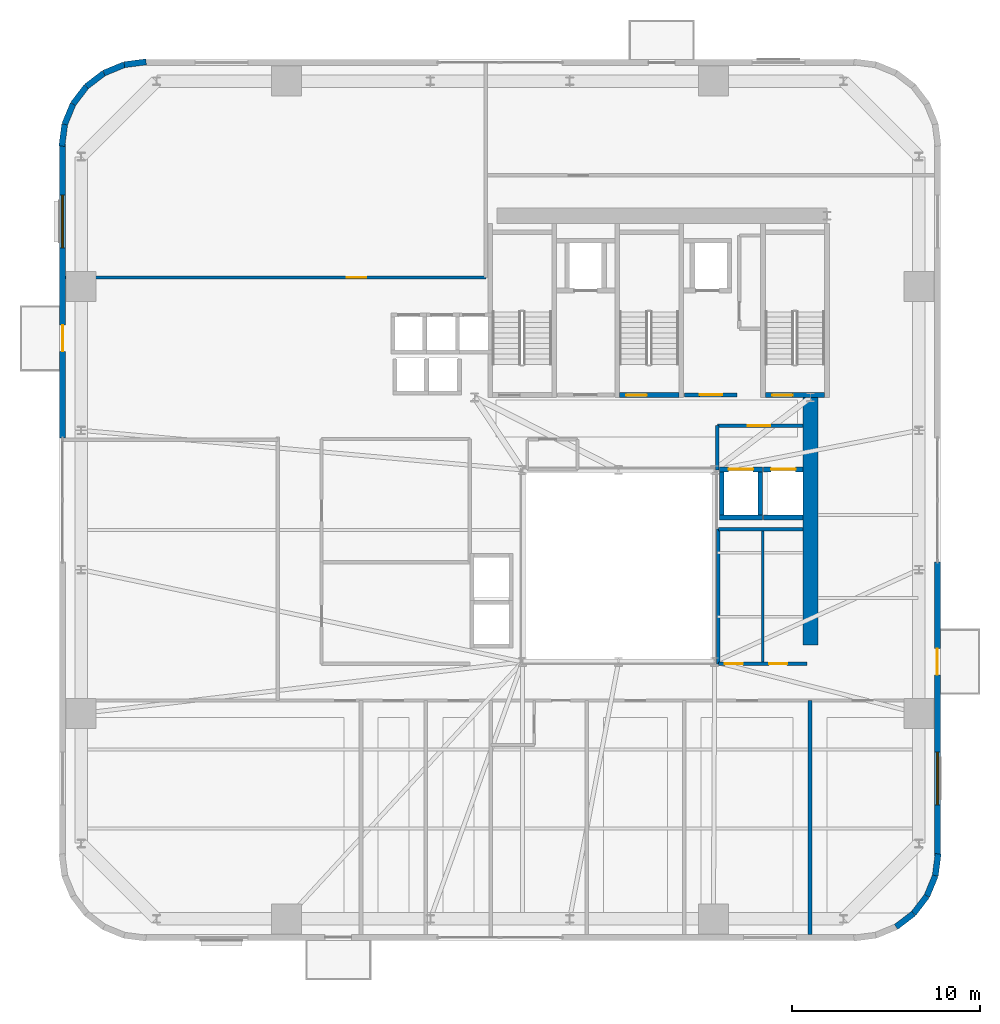
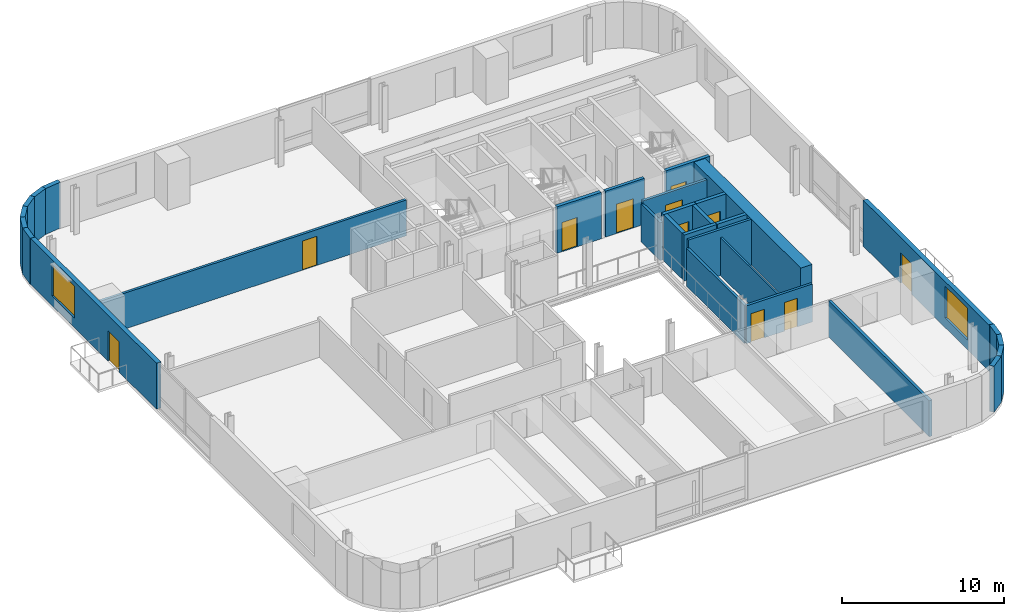
# One storey, part 7 of 14: 30 walls, 11 doors, 2 windows, 13 openings.
"""IFC4 building model written with IfcOpenShell, lengths in metres."""

from ifc_helpers import new_model, si_unit, direction, frame, frame_2d, origin, place, context, subcontext, project, spatial, rectangle, extrude, source, transform, mapped, material, layer, layer_set, type_object, element, fill, save


model = new_model("IFC4")

# Units and contexts
model_context = context("Model", 3, precision=1e-05, world=origin(), true_north=direction((0.0, 1.0)))
body_context = subcontext(model_context, "Body", "Model", "MODEL_VIEW")
ifc_project = project(units=[si_unit("LENGTHUNIT", "METRE"), si_unit("AREAUNIT", "SQUARE_METRE"), si_unit("VOLUMEUNIT", "CUBIC_METRE"), si_unit("PLANEANGLEUNIT", "RADIAN"), si_unit("MASSUNIT", "GRAM", prefix="KILO")], contexts=[model_context])

# Site, building, storey
site_placement = place(None, origin())
site = spatial("IfcSite", under=ifc_project, at=site_placement, CompositionType="ELEMENT")
building_placement = place(site_placement, origin())
building = spatial("IfcBuilding", under=site, at=building_placement, Name="Vardaveli Station Tower", CompositionType="ELEMENT")
storey_placement = place(building_placement, frame((0.0, 0.0, 111.300048828125)))
storey = spatial("IfcBuildingStorey", under=building, at=storey_placement, Name="L28", CompositionType="ELEMENT", Elevation=111.300048828125)

# Wall
ifc_material_1 = material(Name="Concrete C50/60", Category="concrete")
ifc_layer_1 = layer(ifc_material_1, 0.800048828125, Name="Concrete C50/60")
ifc_layer_set_1 = layer_set([ifc_layer_1], Name="Concrete C50/60")
wall_type_1 = type_object("IfcWallType", Name="WAL-CORE-800", PredefinedType="SHEAR", material=ifc_layer_set_1)
shared_shape_1 = source(origin(), body_context, "Body", "SweptSolid", [
    extrude(rectangle(XDim=13.14990234375, YDim=0.800048828125, at=frame_2d((6.574951171875, 0.0))), origin(), (0.0, 0.0, 1.0), 3.4599609375),
])
wall_1_placement = place(storey_placement, frame((46.5, 17.5, 0.0), z_axis=(0.0, 0.0, 1.0), x_axis=(0.0, 1.0, 0.0)))
element("IfcWall", 1, at=wall_1_placement, inside=storey, type_object=wall_type_1, Name="SW-L28-EAST2", PredefinedType="SHEAR", context=body_context, shape_type="MappedRepresentation", body=[
    mapped(shared_shape_1, transform((0.0, 0.0, 0.0), scale=1.0)),
])

# Wall, openings, door, window
ifc_material_2 = material(Name="Precast concrete C45/55", Category="concrete")
ifc_layer_2 = layer(ifc_material_2, 0.320068359375, Name="Precast concrete C45/55")
ifc_layer_set_2 = layer_set([ifc_layer_2], Name="Precast concrete C45/55")
wall_type_2 = type_object("IfcWallType", Name="WAL-EXT-STONE-320", PredefinedType="SOLIDWALL", material=ifc_layer_set_2)
shared_shape_2 = source(origin(), body_context, "Body", "SweptSolid", [
    extrude(rectangle(XDim=15.599853515625, YDim=0.320068359375, at=frame_2d((7.7998046875, 0.0))), origin(), (0.0, 0.0, 1.0), 3.4599609375),
])
wall_2_placement = place(storey_placement, frame((53.239990234375, 6.300048828125, 0.0), z_axis=(0.0, 0.0, 1.0), x_axis=(0.0, 1.0, 0.0)))
wall_2 = element("IfcWall", 2, at=wall_2_placement, inside=storey, type_object=wall_type_2, Name="EW-L28-E1", PredefinedType="SOLIDWALL", context=body_context, shape_type="MappedRepresentation", body=[
    mapped(shared_shape_2, transform((0.0, 0.0, 0.0), scale=1.0)),
])
shared_shape_3 = source(origin(), body_context, "Body", "SweptSolid", [
    extrude(rectangle(XDim=1.39990234375, YDim=2.300048828125, at=frame_2d((0.699951171875, 1.14990234375))), frame((0.0, 0.169921875, 0.0), z_axis=(0.0, -1.0, 0.0), x_axis=(1.0, 0.0, 0.0)), (0.0, 0.0, 1.0), 0.340087890625),
])
opening_1_placement = place(wall_2_placement, frame((9.6103515625, 0.0, 0.0)))
opening_1 = element("IfcOpeningElement", 3, at=opening_1_placement, cuts=wall_2, Name="Opening D-09", PredefinedType="OPENING", context=body_context, shape_type="MappedRepresentation", body=[
    mapped(shared_shape_3, transform((0.0, 0.0, 0.0), scale=1.0)),
])
shared_shape_4 = source(origin(), body_context, "Body", "SweptSolid", [
    extrude(rectangle(XDim=2.800048828125, YDim=2.39990234375, at=frame_2d((1.39990234375, 1.199951171875))), frame((0.0, 0.169921875, 0.0), z_axis=(0.0, -1.0, 0.0), x_axis=(1.0, 0.0, 0.0)), (0.0, 0.0, 1.0), 0.340087890625),
])
opening_2_placement = place(wall_2_placement, frame((2.705078125, 0.0, 0.719970703125)))
opening_2 = element("IfcOpeningElement", 4, at=opening_2_placement, cuts=wall_2, Name="Opening W-04", PredefinedType="OPENING", context=body_context, shape_type="MappedRepresentation", body=[
    mapped(shared_shape_4, transform((0.0, 0.0, 0.0), scale=1.0)),
])
ifc_material_3 = material(Name="Thermally broken aluminium glass", Category="aluminium")
door_type_1 = type_object("IfcDoorType", Name="DR-LOG-1400x2300", OperationType="DOUBLE_DOOR_SLIDING", PredefinedType="DOOR", material=ifc_material_3)
shared_shape_5 = source(origin(), body_context, "Body", "SweptSolid", [
    extrude(rectangle(XDim=1.39990234375, YDim=2.300048828125, at=frame_2d((0.699951171875, 1.14990234375))), frame((0.0, 0.02490234375, 0.0), z_axis=(0.0, -1.0, 0.0), x_axis=(1.0, 0.0, 0.0)), (0.0, 0.0, 1.0), 0.050048828125),
])
door_1_placement = place(opening_1_placement, frame((1.39990234375, 0.0, 0.0), z_axis=(0.0, 0.0, 1.0), x_axis=(-1.0, 0.0, 0.0)))
door_1 = element("IfcDoor", 5, at=door_1_placement, inside=storey, type_object=door_type_1, Name="DLG-L28-E", OperationType="DOUBLE_DOOR_SLIDING", OverallHeight=2.300048828125, OverallWidth=1.39990234375, PredefinedType="DOOR", context=body_context, shape_type="MappedRepresentation", body=[
    mapped(shared_shape_5, transform((0.0, 0.0, 0.0), scale=1.0)),
])
fill(opening_1, door_1)
ifc_material_4 = material(Name="Low-E solar-control glass", Category="glass")
window_type = type_object("IfcWindowType", Name="WIN-SUITE-2800x2400", PartitioningType="SINGLE_PANEL", PredefinedType="WINDOW", material=ifc_material_4)
shared_shape_6 = source(origin(), body_context, "Body", "SweptSolid", [
    extrude(rectangle(XDim=2.800048828125, YDim=2.39990234375, at=frame_2d((1.39990234375, 1.199951171875))), frame((0.0, 0.030029296875, 0.0), z_axis=(0.0, -1.0, 0.0), x_axis=(1.0, 0.0, 0.0)), (0.0, 0.0, 1.0), 0.06005859375),
])
window_1_placement = place(opening_2_placement, origin())
window_1 = element("IfcWindow", 6, at=window_1_placement, inside=storey, type_object=window_type, Name="WN-L28-E1", OverallHeight=2.39990234375, OverallWidth=2.800048828125, PartitioningType="SINGLE_PANEL", PredefinedType="WINDOW", context=body_context, shape_type="MappedRepresentation", body=[
    mapped(shared_shape_6, transform((0.0, 0.0, 0.0), scale=1.0)),
])
fill(opening_2, window_1)

shared_shape_7 = source(origin(), body_context, "Body", "SweptSolid", [
    extrude(rectangle(XDim=15.60009765625, YDim=0.320068359375, at=frame_2d((7.800048828125, 0.0))), origin(), (0.0, 0.0, 1.0), 3.4599609375),
])
wall_3_placement = place(storey_placement, frame((6.760009765625, 44.10009765625, 0.0), z_axis=(0.0, 0.0, 1.0), x_axis=(0.0, -1.0, 0.0)))
wall_3 = element("IfcWall", 7, at=wall_3_placement, inside=storey, type_object=wall_type_2, Name="EW-L28-W1", PredefinedType="SOLIDWALL", context=body_context, shape_type="MappedRepresentation", body=[
    mapped(shared_shape_7, transform((0.0, 0.0, 0.0), scale=1.0)),
])
opening_3_placement = place(wall_3_placement, frame((9.6103515625, 0.0, 0.0)))
opening_3 = element("IfcOpeningElement", 8, at=opening_3_placement, cuts=wall_3, Name="Opening D-09", PredefinedType="OPENING", context=body_context, shape_type="MappedRepresentation", body=[
    mapped(shared_shape_3, transform((0.0, 0.0, 0.0), scale=1.0)),
])
opening_4_placement = place(wall_3_placement, frame((2.705078125, 0.0, 0.719970703125)))
opening_4 = element("IfcOpeningElement", 9, at=opening_4_placement, cuts=wall_3, Name="Opening W-04", PredefinedType="OPENING", context=body_context, shape_type="MappedRepresentation", body=[
    mapped(shared_shape_4, transform((0.0, 0.0, 0.0), scale=1.0)),
])
door_2_placement = place(opening_3_placement, frame((1.39990234375, 0.0, 0.0), z_axis=(0.0, 0.0, 1.0), x_axis=(-1.0, 0.0, 0.0)))
door_2 = element("IfcDoor", 10, at=door_2_placement, inside=storey, type_object=door_type_1, Name="DLG-L28-W", OperationType="DOUBLE_DOOR_SLIDING", OverallHeight=2.300048828125, OverallWidth=1.39990234375, PredefinedType="DOOR", context=body_context, shape_type="MappedRepresentation", body=[
    mapped(shared_shape_5, transform((0.0, 0.0, 0.0), scale=1.0)),
])
fill(opening_3, door_2)
window_2_placement = place(opening_4_placement, origin())
window_2 = element("IfcWindow", 11, at=window_2_placement, inside=storey, type_object=window_type, Name="WN-L28-W1", OverallHeight=2.39990234375, OverallWidth=2.800048828125, PartitioningType="SINGLE_PANEL", PredefinedType="WINDOW", context=body_context, shape_type="MappedRepresentation", body=[
    mapped(shared_shape_6, transform((0.0, 0.0, 0.0), scale=1.0)),
])
fill(opening_4, window_2)

# Walls
shared_shape_8 = source(origin(), body_context, "Body", "SweptSolid", [
    extrude(rectangle(XDim=1.170654296875, YDim=0.320068359375, at=frame_2d((0.58544921875, 0.0))), origin(), (0.0, 0.0, 1.0), 3.4599609375),
])
wall_4_placement = place(storey_placement, frame((53.12548828125, 5.23974609375, 0.0), z_axis=(0.0, 0.0, 1.0), x_axis=(0.128269133229, 0.991739395941, 0.0)))
element("IfcWall", 12, at=wall_4_placement, inside=storey, type_object=wall_type_2, Name="EW-L28-CR2-6", PredefinedType="SOLIDWALL", context=body_context, shape_type="MappedRepresentation", body=[
    mapped(shared_shape_8, transform((0.0, 0.0, 0.0), scale=1.0)),
])
shared_shape_9 = source(origin(), body_context, "Body", "SweptSolid", [
    extrude(rectangle(XDim=1.1689453125, YDim=0.320068359375, at=frame_2d((0.58447265625, 0.0))), origin(), (0.0, 0.0, 1.0), 3.4599609375),
])
for number, where, z_axis, x_axis, name in (
    (13, (51.96875, 3.231201171875, 0.0), (0.0, 0.0, 1.0), (0.608387696831, 0.793639975269, 0.0), "EW-L28-CR2-4"),
    (14, (52.679931640625, 4.158935546875, 0.0), (0.0, 0.0, 1.0), (0.381127904695, 0.924522320046, 0.0), "EW-L28-CR2-5"),
    (15, (8.03125, 47.1689453125, 0.0), (0.0, 0.0, 1.0), (-0.608387696831, -0.793639975269, 0.0), "EW-L28-CR4-4"),
):
    element("IfcWall", number, at=place(storey_placement, frame(where, z_axis=z_axis, x_axis=x_axis)), inside=storey, type_object=wall_type_2, Name=name, PredefinedType="SOLIDWALL", context=body_context, shape_type="MappedRepresentation", body=[
        mapped(shared_shape_9, transform((0.0, 0.0, 0.0), scale=1.0)),
    ])
shared_shape_10 = source(origin(), body_context, "Body", "SweptSolid", [
    extrude(rectangle(XDim=1.168701171875, YDim=0.320068359375, at=frame_2d((0.58447265625, 0.0))), origin(), (0.0, 0.0, 1.0), 3.4599609375),
])
for number, where, z_axis, x_axis, name in (
    (16, (51.041259765625, 2.520263671875, 0.0), (0.0, 0.0, 1.0), (0.793663520347, 0.608356981114, 0.0), "EW-L28-CR2-3"),
    (17, (8.958740234375, 47.8798828125, 0.0), (0.0, 0.0, 1.0), (-0.793663520347, -0.608356981114, 0.0), "EW-L28-CR4-3"),
):
    element("IfcWall", number, at=place(storey_placement, frame(where, z_axis=z_axis, x_axis=x_axis)), inside=storey, type_object=wall_type_2, Name=name, PredefinedType="SOLIDWALL", context=body_context, shape_type="MappedRepresentation", body=[
        mapped(shared_shape_10, transform((0.0, 0.0, 0.0), scale=1.0)),
    ])
shared_shape_11 = source(origin(), body_context, "Body", "SweptSolid", [
    extrude(rectangle(XDim=1.17041015625, YDim=0.320068359375, at=frame_2d((0.585205078125, 0.0))), origin(), (0.0, 0.0, 1.0), 3.4599609375),
])
for number, where, z_axis, x_axis, name in (
    (18, (11.200439453125, 48.4755859375, 0.0), (0.0, 0.0, 1.0), (-0.991735963317, -0.128295670475, 0.0), "EW-L28-CR4-1"),
    (19, (6.87451171875, 45.16015625, 0.0), (0.0, 0.0, 1.0), (-0.128295670475, -0.991735963317, 0.0), "EW-L28-CR4-6"),
):
    element("IfcWall", number, at=place(storey_placement, frame(where, z_axis=z_axis, x_axis=x_axis)), inside=storey, type_object=wall_type_2, Name=name, PredefinedType="SOLIDWALL", context=body_context, shape_type="MappedRepresentation", body=[
        mapped(shared_shape_11, transform((0.0, 0.0, 0.0), scale=1.0)),
    ])
shared_shape_12 = source(origin(), body_context, "Body", "SweptSolid", [
    extrude(rectangle(XDim=1.169189453125, YDim=0.320068359375, at=frame_2d((0.58447265625, 0.0))), origin(), (0.0, 0.0, 1.0), 3.4599609375),
])
for number, where, z_axis, x_axis, name in (
    (20, (10.039794921875, 48.325439453125, 0.0), (0.0, 0.0, 1.0), (-0.924552646638, -0.381054331552, 0.0), "EW-L28-CR4-2"),
    (21, (7.320068359375, 46.2412109375, 0.0), (0.0, 0.0, 1.0), (-0.381054331552, -0.924552646638, 0.0), "EW-L28-CR4-5"),
):
    element("IfcWall", number, at=place(storey_placement, frame(where, z_axis=z_axis, x_axis=x_axis)), inside=storey, type_object=wall_type_2, Name=name, PredefinedType="SOLIDWALL", context=body_context, shape_type="MappedRepresentation", body=[
        mapped(shared_shape_12, transform((0.0, 0.0, 0.0), scale=1.0)),
    ])

# Wall, opening, door
ifc_material_5 = material(Name="Concrete C40/50", Category="concrete")
ifc_layer_3 = layer(ifc_material_5, 0.25, Name="Concrete C40/50")
ifc_layer_set_3 = layer_set([ifc_layer_3], Name="Concrete C40/50")
wall_type_3 = type_object("IfcWallType", Name="WAL-SHAFT-250", PredefinedType="SOLIDWALL", material=ifc_layer_set_3)
shared_shape_13 = source(origin(), body_context, "Body", "SweptSolid", [
    extrude(rectangle(XDim=3.14990234375, YDim=0.25, at=frame_2d((1.574951171875, 0.0))), origin(), (0.0, 0.0, 1.0), 3.5),
])
wall_5_placement = place(storey_placement, frame((36.35009765625, 30.77490234375, 0.0), z_axis=(0.0, 0.0, 1.0), x_axis=(1.0, 0.0, 0.0)))
wall_5 = element("IfcWall", 22, at=wall_5_placement, inside=storey, type_object=wall_type_3, Name="W-L28-ST-2S", PredefinedType="SOLIDWALL", context=body_context, shape_type="MappedRepresentation", body=[
    mapped(shared_shape_13, transform((0.0, 0.0, 0.0), scale=1.0)),
])
shared_shape_14 = source(origin(), body_context, "Body", "SweptSolid", [
    extrude(rectangle(XDim=1.10009765625, YDim=2.199951171875, at=frame_2d((0.550048828125, 1.10009765625))), frame((0.0, 0.135009765625, 0.0), z_axis=(0.0, -1.0, 0.0), x_axis=(1.0, 0.0, 0.0)), (0.0, 0.0, 1.0), 0.27001953125),
])
opening_5_placement = place(wall_5_placement, frame((0.35009765625, 0.0, 0.0)))
opening_5 = element("IfcOpeningElement", 23, at=opening_5_placement, cuts=wall_5, Name="Opening D-04", PredefinedType="OPENING", context=body_context, shape_type="MappedRepresentation", body=[
    mapped(shared_shape_14, transform((0.0, 0.0, 0.0), scale=1.0)),
])
ifc_material_6 = material(Name="Steel smokeproof fire doorset", Category="steel")
door_type_2 = type_object("IfcDoorType", Name="DR-ST-1100x2200", OperationType="NOTDEFINED", PredefinedType="DOOR", material=ifc_material_6)
shared_shape_15 = source(origin(), body_context, "Body", "SweptSolid", [
    extrude(rectangle(XDim=1.10009765625, YDim=2.199951171875, at=frame_2d((0.550048828125, 1.10009765625))), frame((0.0, 0.02490234375, 0.0), z_axis=(0.0, -1.0, 0.0), x_axis=(1.0, 0.0, 0.0)), (0.0, 0.0, 1.0), 0.050048828125),
])
door_3_placement = place(opening_5_placement, origin())
door_3 = element("IfcDoor", 24, at=door_3_placement, inside=storey, type_object=door_type_2, Name="DST-2-L28", OperationType="SINGLE_SWING_LEFT", OverallHeight=2.199951171875, OverallWidth=1.10009765625, PredefinedType="DOOR", context=body_context, shape_type="MappedRepresentation", body=[
    mapped(shared_shape_15, transform((0.0, 0.0, 0.0), scale=1.0)),
])
fill(opening_5, door_3)

wall_6_placement = place(storey_placement, frame((44.10009765625, 30.77490234375, 0.0), z_axis=(0.0, 0.0, 1.0), x_axis=(1.0, 0.0, 0.0)))
wall_6 = element("IfcWall", 25, at=wall_6_placement, inside=storey, type_object=wall_type_3, Name="W-L28-ST-3S", PredefinedType="SOLIDWALL", context=body_context, shape_type="MappedRepresentation", body=[
    mapped(shared_shape_13, transform((0.0, 0.0, 0.0), scale=1.0)),
])
opening_6_placement = place(wall_6_placement, frame((0.35009765625, 0.0, 0.0)))
opening_6 = element("IfcOpeningElement", 26, at=opening_6_placement, cuts=wall_6, Name="Opening D-04", PredefinedType="OPENING", context=body_context, shape_type="MappedRepresentation", body=[
    mapped(shared_shape_14, transform((0.0, 0.0, 0.0), scale=1.0)),
])
door_4_placement = place(opening_6_placement, origin())
door_4 = element("IfcDoor", 27, at=door_4_placement, inside=storey, type_object=door_type_2, Name="DST-3-L28", OperationType="SINGLE_SWING_LEFT", OverallHeight=2.199951171875, OverallWidth=1.10009765625, PredefinedType="DOOR", context=body_context, shape_type="MappedRepresentation", body=[
    mapped(shared_shape_15, transform((0.0, 0.0, 0.0), scale=1.0)),
])
fill(opening_6, door_4)

ifc_layer_4 = layer(ifc_material_5, 0.219970703125, Name="Concrete C40/50")
ifc_layer_set_4 = layer_set([ifc_layer_4], Name="Concrete C40/50")
wall_type_4 = type_object("IfcWallType", Name="WAL-FFLOBBY-220", PredefinedType="SOLIDWALL", material=ifc_layer_set_4)
shared_shape_16 = source(origin(), body_context, "Body", "SweptSolid", [
    extrude(rectangle(XDim=2.800048828125, YDim=0.219970703125, at=frame_2d((1.39990234375, 0.0))), origin(), (0.0, 0.0, 1.0), 3.4599609375),
])
wall_7_placement = place(storey_placement, frame((39.800048828125, 30.780029296875, 0.0), z_axis=(0.0, 0.0, 1.0), x_axis=(1.0, 0.0, 0.0)))
wall_7 = element("IfcWall", 28, at=wall_7_placement, inside=storey, type_object=wall_type_4, Name="W-L28-FFL2S", PredefinedType="SOLIDWALL", context=body_context, shape_type="MappedRepresentation", body=[
    mapped(shared_shape_16, transform((0.0, 0.0, 0.0), scale=1.0)),
])
shared_shape_17 = source(origin(), body_context, "Body", "SweptSolid", [
    extrude(rectangle(XDim=1.199951171875, YDim=2.199951171875, at=frame_2d((0.60009765625, 1.10009765625))), frame((0.0, 0.1201171875, 0.0), z_axis=(0.0, -1.0, 0.0), x_axis=(1.0, 0.0, 0.0)), (0.0, 0.0, 1.0), 0.239990234375),
])
opening_7_placement = place(wall_7_placement, frame((0.800048828125, 0.0, 0.0)))
opening_7 = element("IfcOpeningElement", 29, at=opening_7_placement, cuts=wall_7, Name="Opening D-03", PredefinedType="OPENING", context=body_context, shape_type="MappedRepresentation", body=[
    mapped(shared_shape_17, transform((0.0, 0.0, 0.0), scale=1.0)),
])
door_type_3 = type_object("IfcDoorType", Name="DR-FFL-1200x2200", OperationType="NOTDEFINED", PredefinedType="DOOR", material=ifc_material_6)
shared_shape_18 = source(origin(), body_context, "Body", "SweptSolid", [
    extrude(rectangle(XDim=1.199951171875, YDim=2.199951171875, at=frame_2d((0.60009765625, 1.10009765625))), frame((0.0, 0.02490234375, 0.0), z_axis=(0.0, -1.0, 0.0), x_axis=(1.0, 0.0, 0.0)), (0.0, 0.0, 1.0), 0.050048828125),
])
door_5_placement = place(opening_7_placement, origin())
door_5 = element("IfcDoor", 30, at=door_5_placement, inside=storey, type_object=door_type_3, Name="DFFL2-L28", OperationType="SINGLE_SWING_RIGHT", OverallHeight=2.199951171875, OverallWidth=1.199951171875, PredefinedType="DOOR", context=body_context, shape_type="MappedRepresentation", body=[
    mapped(shared_shape_18, transform((0.0, 0.0, 0.0), scale=1.0)),
])
fill(opening_7, door_5)

# Wall
shared_shape_19 = source(origin(), body_context, "Body", "SweptSolid", [
    extrude(rectangle(XDim=2.300048828125, YDim=0.25, at=frame_2d((1.14990234375, 0.0))), origin(), (0.0, 0.0, 1.0), 3.4599609375),
])
wall_8_placement = place(storey_placement, frame((41.64990234375, 24.27490234375, 0.0), z_axis=(0.0, 0.0, 1.0), x_axis=(1.0, 0.0, 0.0)))
element("IfcWall", 31, at=wall_8_placement, inside=storey, type_object=wall_type_3, Name="SHW-SRV-01-L28-S", PredefinedType="SOLIDWALL", context=body_context, shape_type="MappedRepresentation", body=[
    mapped(shared_shape_19, transform((0.0, 0.0, 0.0), scale=1.0)),
])

# Wall, opening, door
wall_9_placement = place(storey_placement, frame((41.64990234375, 26.824951171875, 0.0), z_axis=(0.0, 0.0, 1.0), x_axis=(1.0, 0.0, 0.0)))
wall_9 = element("IfcWall", 32, at=wall_9_placement, inside=storey, type_object=wall_type_3, Name="SHW-SRV-01-L28-N", PredefinedType="SOLIDWALL", context=body_context, shape_type="MappedRepresentation", body=[
    mapped(shared_shape_19, transform((0.0, 0.0, 0.0), scale=1.0)),
])
shared_shape_20 = source(origin(), body_context, "Body", "SweptSolid", [
    extrude(rectangle(XDim=1.300048828125, YDim=2.300048828125, at=frame_2d((0.64990234375, 1.14990234375))), frame((0.0, 0.135009765625, 0.0), z_axis=(0.0, -1.0, 0.0), x_axis=(1.0, 0.0, 0.0)), (0.0, 0.0, 1.0), 0.27001953125),
])
opening_8_placement = place(wall_9_placement, frame((0.5, 0.0, 0.0)))
opening_8 = element("IfcOpeningElement", 33, at=opening_8_placement, cuts=wall_9, Name="Opening LD-03", PredefinedType="OPENING", context=body_context, shape_type="MappedRepresentation", body=[
    mapped(shared_shape_20, transform((0.0, 0.0, 0.0), scale=1.0)),
])
ifc_material_7 = material(Name="Brushed stainless steel", Category="steel")
door_type_4 = type_object("IfcDoorType", Name="DR-LD-1300x2300", OperationType="DOUBLE_DOOR_SLIDING", PredefinedType="DOOR", material=ifc_material_7)
shared_shape_21 = source(origin(), body_context, "Body", "SweptSolid", [
    extrude(rectangle(XDim=1.300048828125, YDim=2.300048828125, at=frame_2d((0.64990234375, 1.14990234375))), frame((0.0, 0.02490234375, 0.0), z_axis=(0.0, -1.0, 0.0), x_axis=(1.0, 0.0, 0.0)), (0.0, 0.0, 1.0), 0.050048828125),
])
door_6_placement = place(opening_8_placement, origin())
door_6 = element("IfcDoor", 34, at=door_6_placement, inside=storey, type_object=door_type_4, Name="LD-SRV-01-L28", OperationType="DOUBLE_DOOR_SLIDING", OverallHeight=2.300048828125, OverallWidth=1.300048828125, PredefinedType="DOOR", context=body_context, shape_type="MappedRepresentation", body=[
    mapped(shared_shape_21, transform((0.0, 0.0, 0.0), scale=1.0)),
])
fill(opening_8, door_6)

# Walls
for number, where, z_axis, x_axis, name in (
    (35, (41.77490234375, 24.39990234375, 0.0), (0.0, 0.0, 1.0), (0.0, 1.0, 0.0), "SHW-SRV-01-L28-W"),
    (36, (43.824951171875, 24.39990234375, 0.0), (0.0, 0.0, 1.0), (0.0, 1.0, 0.0), "SHW-SRV-01-L28-E"),
):
    element("IfcWall", number, at=place(storey_placement, frame(where, z_axis=z_axis, x_axis=x_axis)), inside=storey, type_object=wall_type_3, Name=name, PredefinedType="SOLIDWALL", context=body_context, shape_type="MappedRepresentation", body=[
        mapped(shared_shape_19, transform((0.0, 0.0, 0.0), scale=1.0)),
    ])
shared_shape_22 = source(origin(), body_context, "Body", "SweptSolid", [
    extrude(rectangle(XDim=2.10009765625, YDim=0.25, at=frame_2d((1.050048828125, 0.0))), origin(), (0.0, 0.0, 1.0), 3.4599609375),
])
wall_10_placement = place(storey_placement, frame((44.0, 24.27490234375, 0.0), z_axis=(0.0, 0.0, 1.0), x_axis=(1.0, 0.0, 0.0)))
element("IfcWall", 37, at=wall_10_placement, inside=storey, type_object=wall_type_3, Name="SHW-SRV-02-L28-S", PredefinedType="SOLIDWALL", context=body_context, shape_type="MappedRepresentation", body=[
    mapped(shared_shape_22, transform((0.0, 0.0, 0.0), scale=1.0)),
])

# Wall, opening, door
wall_11_placement = place(storey_placement, frame((44.0, 26.824951171875, 0.0), z_axis=(0.0, 0.0, 1.0), x_axis=(1.0, 0.0, 0.0)))
wall_11 = element("IfcWall", 38, at=wall_11_placement, inside=storey, type_object=wall_type_3, Name="SHW-SRV-02-L28-N", PredefinedType="SOLIDWALL", context=body_context, shape_type="MappedRepresentation", body=[
    mapped(shared_shape_22, transform((0.0, 0.0, 0.0), scale=1.0)),
])
opening_9_placement = place(wall_11_placement, frame((0.39990234375, 0.0, 0.0)))
opening_9 = element("IfcOpeningElement", 39, at=opening_9_placement, cuts=wall_11, Name="Opening LD-03", PredefinedType="OPENING", context=body_context, shape_type="MappedRepresentation", body=[
    mapped(shared_shape_20, transform((0.0, 0.0, 0.0), scale=1.0)),
])
door_7_placement = place(opening_9_placement, origin())
door_7 = element("IfcDoor", 40, at=door_7_placement, inside=storey, type_object=door_type_4, Name="LD-SRV-02-L28", OperationType="DOUBLE_DOOR_SLIDING", OverallHeight=2.300048828125, OverallWidth=1.300048828125, PredefinedType="DOOR", context=body_context, shape_type="MappedRepresentation", body=[
    mapped(shared_shape_21, transform((0.0, 0.0, 0.0), scale=1.0)),
])
fill(opening_9, door_7)

ifc_material_8 = material(Name="Fire-rated gypsum stud partition")
ifc_layer_5 = layer(ifc_material_8, 0.179931640625, Name="Fire-rated gypsum stud partition")
ifc_layer_set_5 = layer_set([ifc_layer_5], Name="Fire-rated gypsum stud partition")
wall_type_5 = type_object("IfcWallType", Name="WAL-CORR-180", PredefinedType="PARTITIONING", material=ifc_layer_set_5)
shared_shape_23 = source(origin(), body_context, "Body", "SweptSolid", [
    extrude(rectangle(XDim=22.327880859375, YDim=0.179931640625, at=frame_2d((11.1640625, 0.0))), origin(), (0.0, 0.0, 1.0), 2.701904296875),
])
wall_12_placement = place(storey_placement, frame((6.922119140625, 37.02001953125, 0.0), z_axis=(0.0, 0.0, 1.0), x_axis=(1.0, 0.0, 0.0)))
wall_12 = element("IfcWall", 41, at=wall_12_placement, inside=storey, type_object=wall_type_5, Name="W-L28-CNWS", PredefinedType="PARTITIONING", context=body_context, shape_type="MappedRepresentation", body=[
    mapped(shared_shape_23, transform((0.0, 0.0, 0.0), scale=1.0)),
])
shared_shape_24 = source(origin(), body_context, "Body", "SweptSolid", [
    extrude(rectangle(XDim=1.050048828125, YDim=2.199951171875, at=frame_2d((0.52490234375, 1.10009765625))), frame((0.0, 0.10009765625, 0.0), z_axis=(0.0, -1.0, 0.0), x_axis=(1.0, 0.0, 0.0)), (0.0, 0.0, 1.0), 0.199951171875),
])
opening_10_placement = place(wall_12_placement, frame((14.927978515625, 0.0, 0.0)))
opening_10 = element("IfcOpeningElement", 42, at=opening_10_placement, cuts=wall_12, Name="Opening D-05", PredefinedType="OPENING", context=body_context, shape_type="MappedRepresentation", body=[
    mapped(shared_shape_24, transform((0.0, 0.0, 0.0), scale=1.0)),
])
ifc_material_9 = material(Name="Walnut veneer acoustic fire door")
door_type_5 = type_object("IfcDoorType", Name="DR-SUITE-1050x2200", OperationType="NOTDEFINED", PredefinedType="DOOR", material=ifc_material_9)
shared_shape_25 = source(origin(), body_context, "Body", "SweptSolid", [
    extrude(rectangle(XDim=1.050048828125, YDim=2.199951171875, at=frame_2d((0.52490234375, 1.10009765625))), frame((0.0, 0.02490234375, 0.0), z_axis=(0.0, -1.0, 0.0), x_axis=(1.0, 0.0, 0.0)), (0.0, 0.0, 1.0), 0.050048828125),
])
door_8_placement = place(opening_10_placement, origin())
door_8 = element("IfcDoor", 43, at=door_8_placement, inside=storey, type_object=door_type_5, Name="D-L28-GNW1", OperationType="SINGLE_SWING_LEFT", OverallHeight=2.199951171875, OverallWidth=1.050048828125, PredefinedType="DOOR", context=body_context, shape_type="MappedRepresentation", body=[
    mapped(shared_shape_25, transform((0.0, 0.0, 0.0), scale=1.0)),
])
fill(opening_10, door_8)

shared_shape_26 = source(origin(), body_context, "Body", "SweptSolid", [
    extrude(rectangle(XDim=4.5478515625, YDim=0.179931640625, at=frame_2d((2.27392578125, 0.0))), origin(), (0.0, 0.0, 1.0), 3.092041015625),
])
wall_13_placement = place(storey_placement, frame((41.550048828125, 29.14990234375, 0.0), z_axis=(0.0, 0.0, 1.0), x_axis=(1.0, 0.0, 0.0)))
wall_13 = element("IfcWall", 44, at=wall_13_placement, inside=storey, type_object=wall_type_5, Name="W-L28-SVFN", PredefinedType="PARTITIONING", context=body_context, shape_type="MappedRepresentation", body=[
    mapped(shared_shape_26, transform((0.0, 0.0, 0.0), scale=1.0)),
])
shared_shape_27 = source(origin(), body_context, "Body", "SweptSolid", [
    extrude(rectangle(XDim=1.199951171875, YDim=2.199951171875, at=frame_2d((0.60009765625, 1.10009765625))), frame((0.0, 0.10009765625, 0.0), z_axis=(0.0, -1.0, 0.0), x_axis=(1.0, 0.0, 0.0)), (0.0, 0.0, 1.0), 0.199951171875),
])
opening_11_placement = place(wall_13_placement, frame((1.60009765625, 0.0, 0.0)))
opening_11 = element("IfcOpeningElement", 45, at=opening_11_placement, cuts=wall_13, Name="Opening D-03", PredefinedType="OPENING", context=body_context, shape_type="MappedRepresentation", body=[
    mapped(shared_shape_27, transform((0.0, 0.0, 0.0), scale=1.0)),
])
door_9_placement = place(opening_11_placement, origin())
door_9 = element("IfcDoor", 46, at=door_9_placement, inside=storey, type_object=door_type_3, Name="D-L28-SVF", OperationType="SINGLE_SWING_LEFT", OverallHeight=2.199951171875, OverallWidth=1.199951171875, PredefinedType="DOOR", context=body_context, shape_type="MappedRepresentation", body=[
    mapped(shared_shape_18, transform((0.0, 0.0, 0.0), scale=1.0)),
])
fill(opening_11, door_9)

# Wall, openings, doors
shared_shape_28 = source(origin(), body_context, "Body", "SweptSolid", [
    extrude(rectangle(XDim=4.699951171875, YDim=0.179931640625, at=frame_2d((2.35009765625, 0.0))), origin(), (0.0, 0.0, 1.0), 2.85205078125),
])
wall_14_placement = place(storey_placement, frame((41.60009765625, 16.5, 0.0), z_axis=(0.0, 0.0, 1.0), x_axis=(1.0, 0.0, 0.0)))
wall_14 = element("IfcWall", 47, at=wall_14_placement, inside=storey, type_object=wall_type_5, Name="W-L28-ATE-S", PredefinedType="PARTITIONING", context=body_context, shape_type="MappedRepresentation", body=[
    mapped(shared_shape_28, transform((0.0, 0.0, 0.0), scale=1.0)),
])
shared_shape_29 = source(origin(), body_context, "Body", "SweptSolid", [
    extrude(rectangle(XDim=0.949951171875, YDim=2.14990234375, at=frame_2d((0.47509765625, 1.074951171875))), frame((0.0, 0.10009765625, 0.0), z_axis=(0.0, -1.0, 0.0), x_axis=(1.0, 0.0, 0.0)), (0.0, 0.0, 1.0), 0.199951171875),
])
opening_12_placement = place(wall_14_placement, frame((0.35009765625, 0.0, 0.0)))
opening_12 = element("IfcOpeningElement", 48, at=opening_12_placement, cuts=wall_14, Name="Opening D-11", PredefinedType="OPENING", context=body_context, shape_type="MappedRepresentation", body=[
    mapped(shared_shape_29, transform((0.0, 0.0, 0.0), scale=1.0)),
])
opening_13_placement = place(wall_14_placement, frame((2.699951171875, 0.0, 0.0)))
opening_13 = element("IfcOpeningElement", 49, at=opening_13_placement, cuts=wall_14, Name="Opening D-11", PredefinedType="OPENING", context=body_context, shape_type="MappedRepresentation", body=[
    mapped(shared_shape_29, transform((0.0, 0.0, 0.0), scale=1.0)),
])
ifc_material_10 = material(Name="Oak veneer internal suite door")
door_type_6 = type_object("IfcDoorType", Name="DR-INT-950x2150", OperationType="NOTDEFINED", PredefinedType="DOOR", material=ifc_material_10)
shared_shape_30 = source(origin(), body_context, "Body", "SweptSolid", [
    extrude(rectangle(XDim=0.949951171875, YDim=2.14990234375, at=frame_2d((0.47509765625, 1.074951171875))), frame((0.0, 0.02490234375, 0.0), z_axis=(0.0, -1.0, 0.0), x_axis=(1.0, 0.0, 0.0)), (0.0, 0.0, 1.0), 0.050048828125),
])
door_10_placement = place(opening_12_placement, origin())
door_10 = element("IfcDoor", 50, at=door_10_placement, inside=storey, type_object=door_type_6, Name="D-L28-ATE1", OperationType="SINGLE_SWING_RIGHT", OverallHeight=2.14990234375, OverallWidth=0.949951171875, PredefinedType="DOOR", context=body_context, shape_type="MappedRepresentation", body=[
    mapped(shared_shape_30, transform((0.0, 0.0, 0.0), scale=1.0)),
])
fill(opening_12, door_10)
door_11_placement = place(opening_13_placement, origin())
door_11 = element("IfcDoor", 51, at=door_11_placement, inside=storey, type_object=door_type_6, Name="D-L28-ATE2", OperationType="SINGLE_SWING_LEFT", OverallHeight=2.14990234375, OverallWidth=0.949951171875, PredefinedType="DOOR", context=body_context, shape_type="MappedRepresentation", body=[
    mapped(shared_shape_30, transform((0.0, 0.0, 0.0), scale=1.0)),
])
fill(opening_13, door_11)

# Walls
ifc_material_11 = material(Name="Acoustic twin-stud gypsum partition")
ifc_layer_6 = layer(ifc_material_11, 0.199951171875, Name="Acoustic twin-stud gypsum partition")
ifc_layer_set_6 = layer_set([ifc_layer_6], Name="Acoustic twin-stud gypsum partition")
wall_type_6 = type_object("IfcWallType", Name="WAL-PARTY-200", PredefinedType="PARTITIONING", material=ifc_layer_set_6)
shared_shape_31 = source(origin(), body_context, "Body", "SweptSolid", [
    extrude(rectangle(XDim=12.427978515625, YDim=0.199951171875, at=frame_2d((6.2138671875, 0.0))), origin(), (0.0, 0.0, 1.0), 2.701904296875),
])
wall_15_placement = place(storey_placement, frame((46.464111328125, 2.1220703125, 0.0), z_axis=(0.0, 0.0, 1.0), x_axis=(0.0, 1.0, 0.0)))
element("IfcWall", 52, at=wall_15_placement, inside=storey, type_object=wall_type_6, Name="W-L28-PS6", PredefinedType="PARTITIONING", context=body_context, shape_type="MappedRepresentation", body=[
    mapped(shared_shape_31, transform((0.0, 0.0, 0.0), scale=1.0)),
])
shared_shape_32 = source(origin(), body_context, "Body", "SweptSolid", [
    extrude(rectangle(XDim=7.14990234375, YDim=0.179931640625, at=frame_2d((3.574951171875, 0.0))), origin(), (0.0, 0.0, 1.0), 2.85205078125),
])
wall_16_placement = place(storey_placement, frame((41.60009765625, 16.5, 0.0), z_axis=(0.0, 0.0, 1.0), x_axis=(0.0, 1.0, 0.0)))
element("IfcWall", 53, at=wall_16_placement, inside=storey, type_object=wall_type_5, Name="W-L28-ATE-W", PredefinedType="PARTITIONING", context=body_context, shape_type="MappedRepresentation", body=[
    mapped(shared_shape_32, transform((0.0, 0.0, 0.0), scale=1.0)),
])
ifc_material_12 = material(Name="Gypsum board stud partition")
ifc_layer_7 = layer(ifc_material_12, 0.125, Name="Gypsum board stud partition")
ifc_layer_set_7 = layer_set([ifc_layer_7], Name="Gypsum board stud partition")
wall_type_7 = type_object("IfcWallType", Name="WAL-INT-125", PredefinedType="PARTITIONING", material=ifc_layer_set_7)
shared_shape_33 = source(origin(), body_context, "Body", "SweptSolid", [
    extrude(rectangle(XDim=7.14990234375, YDim=0.125, at=frame_2d((3.574951171875, 0.0))), origin(), (0.0, 0.0, 1.0), 2.85205078125),
])
wall_17_placement = place(storey_placement, frame((43.949951171875, 16.5, 0.0), z_axis=(0.0, 0.0, 1.0), x_axis=(0.0, 1.0, 0.0)))
element("IfcWall", 54, at=wall_17_placement, inside=storey, type_object=wall_type_7, Name="W-L28-ATEM", PredefinedType="PARTITIONING", context=body_context, shape_type="MappedRepresentation", body=[
    mapped(shared_shape_33, transform((0.0, 0.0, 0.0), scale=1.0)),
])
shared_shape_34 = source(origin(), body_context, "Body", "SweptSolid", [
    extrude(rectangle(XDim=4.497802734375, YDim=0.179931640625, at=frame_2d((2.2490234375, 0.0))), origin(), (0.0, 0.0, 1.0), 3.4599609375),
])
wall_18_placement = place(storey_placement, frame((41.60009765625, 23.64990234375, 0.0), z_axis=(0.0, 0.0, 1.0), x_axis=(1.0, 0.0, 0.0)))
element("IfcWall", 55, at=wall_18_placement, inside=storey, type_object=wall_type_5, Name="W-L28-ATE-N", PredefinedType="PARTITIONING", context=body_context, shape_type="MappedRepresentation", body=[
    mapped(shared_shape_34, transform((0.0, 0.0, 0.0), scale=1.0)),
])
shared_shape_35 = source(origin(), body_context, "Body", "SweptSolid", [
    extrude(rectangle(XDim=2.349853515625, YDim=0.179931640625, at=frame_2d((1.1748046875, 0.0))), origin(), (0.0, 0.0, 1.0), 2.85205078125),
])
wall_19_placement = place(storey_placement, frame((41.550048828125, 26.800048828125, 0.0), z_axis=(0.0, 0.0, 1.0), x_axis=(0.0, 1.0, 0.0)))
element("IfcWall", 56, at=wall_19_placement, inside=storey, type_object=wall_type_5, Name="W-L28-SVFW", PredefinedType="PARTITIONING", context=body_context, shape_type="MappedRepresentation", body=[
    mapped(shared_shape_35, transform((0.0, 0.0, 0.0), scale=1.0)),
])

save(model, "model.ifc")
